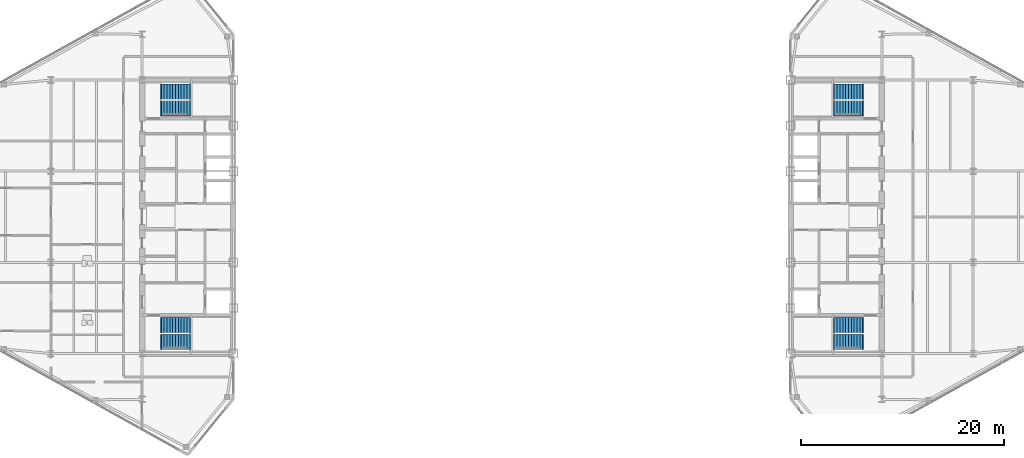
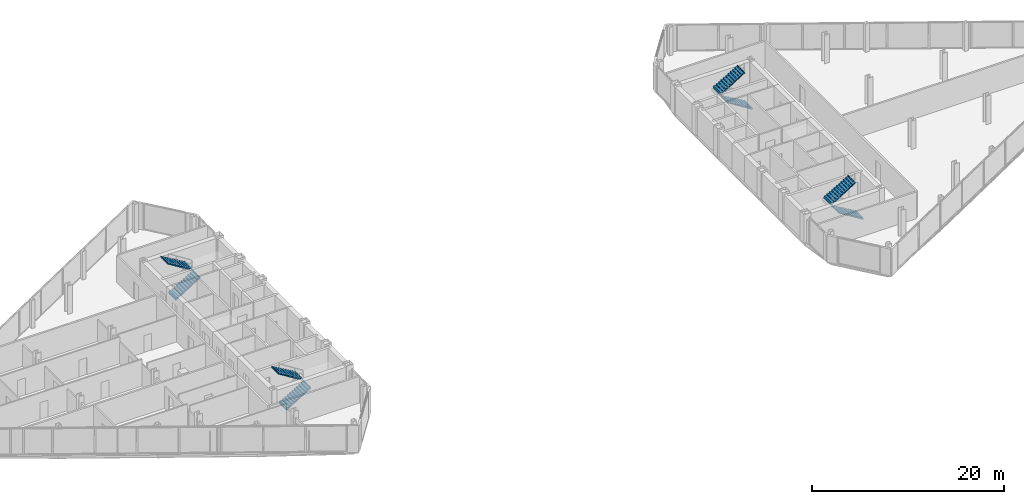
# One storey, part 24 of 26: 8 stair flights, 4 elements without a shape of their own.
"""IFC4 building model written with IfcOpenShell, lengths in metres."""

from ifc_helpers import new_model, si_unit, direction, frame, origin, place, context, subcontext, project, spatial, polyline, outline, extrude, material, type_object, element, aggregate, save


model = new_model("IFC4")

# Units and contexts
model_context = context("Model", 3, precision=1e-05, world=origin(), true_north=direction((0.0, 1.0)))
body_context = subcontext(model_context, "Body", "Model", "MODEL_VIEW")
ifc_project = project(units=[si_unit("LENGTHUNIT", "METRE"), si_unit("AREAUNIT", "SQUARE_METRE"), si_unit("VOLUMEUNIT", "CUBIC_METRE"), si_unit("PLANEANGLEUNIT", "RADIAN"), si_unit("MASSUNIT", "GRAM", prefix="KILO")], contexts=[model_context])

# Site, building, storey
site_placement = place(None, origin())
site = spatial("IfcSite", under=ifc_project, at=site_placement, CompositionType="ELEMENT")
building_placement = place(site_placement, origin())
building = spatial("IfcBuilding", under=site, at=building_placement, Name="Seokmaru Belvedere", CompositionType="ELEMENT")
storey_placement = place(building_placement, frame((0.0, 0.0, 177.89990234375)))
storey = spatial("IfcBuildingStorey", under=building, at=storey_placement, Name="L47", CompositionType="ELEMENT", Elevation=177.89990234375)

# Stair, stair flights
ifc_material = material(Name="Concrete C40 (40 MPa)", Category="concrete")
stair_type = type_object("IfcStairType", Name="Typical Tower Core Dog-Leg Stair 3600", PredefinedType="TWO_STRAIGHT_RUN_STAIR", material=ifc_material)
stair_1_placement = place(storey_placement, origin())
stair_1 = element("IfcStair", 1, at=stair_1_placement, inside=storey, type_object=stair_type, Name="L47 Special Escape Stair ST-W1", PredefinedType="TWO_STRAIGHT_RUN_STAIR")
stair_flight_type = type_object("IfcStairFlightType", Name="Reinforced Concrete Stair Flight 1500", PredefinedType="STRAIGHT", material=ifc_material)
stair_flight_1_placement = place(storey_placement, frame((-34.60009765625, -12.35009765625, 0.0), z_axis=(0.0, 0.0, 1.0), x_axis=(1.0, 0.0, 0.0)))
stair_flight_1 = element("IfcStairFlight", 2, at=stair_flight_1_placement, type_object=stair_flight_type, Name="ST-W1 flight 1", NumberOfRisers=11, NumberOfTreads=10, PredefinedType="STRAIGHT", RiserHeight=0.163636364, TreadLength=0.28, context=body_context, shape_type="SweptSolid", body=[
    extrude(outline(polyline([(-0.080078125, 0.0), (0.0, 0.16357421875), (0.280029296875, 0.16357421875), (0.280029296875, 0.327392578125), (0.56005859375, 0.327392578125), (0.56005859375, 0.490966796875), (0.840087890625, 0.490966796875), (0.840087890625, 0.654541015625), (1.1201171875, 0.654541015625), (1.1201171875, 0.818115234375), (1.39990234375, 0.818115234375), (1.39990234375, 0.98193359375), (1.679931640625, 0.98193359375), (1.679931640625, 1.1455078125), (1.9599609375, 1.1455078125), (1.9599609375, 1.30908203125), (2.239990234375, 1.30908203125), (2.239990234375, 1.47265625), (2.52001953125, 1.47265625), (2.52001953125, 1.636474609375), (2.800048828125, 1.636474609375), (2.800048828125, 1.800048828125), (2.8798828125, 1.800048828125), (2.8798828125, 1.610107421875), (2.800048828125, 1.610107421875), (0.0, -0.159912109375), (-0.080078125, -0.159912109375), (-0.080078125, 0.0)])), frame((0.0, 0.75, 0.0), z_axis=(0.0, -1.0, 0.0), x_axis=(1.0, 0.0, 0.0)), (0.0, 0.0, 1.0), 1.5),
])
stair_flight_2_placement = place(storey_placement, frame((-31.800048828125, -10.7099609375, 1.800048828125), z_axis=(0.0, 0.0, 1.0), x_axis=(-1.0, 0.0, 0.0)))
stair_flight_2 = element("IfcStairFlight", 3, at=stair_flight_2_placement, type_object=stair_flight_type, Name="ST-W1 flight 2", NumberOfRisers=11, NumberOfTreads=10, PredefinedType="STRAIGHT", RiserHeight=0.163636364, TreadLength=0.28, context=body_context, shape_type="SweptSolid", body=[
    extrude(outline(polyline([(-0.080078125, 0.0), (0.0, 0.16357421875), (0.280029296875, 0.16357421875), (0.280029296875, 0.327392578125), (0.56005859375, 0.327392578125), (0.56005859375, 0.490966796875), (0.840087890625, 0.490966796875), (0.840087890625, 0.654541015625), (1.1201171875, 0.654541015625), (1.1201171875, 0.818115234375), (1.39990234375, 0.818115234375), (1.39990234375, 0.98193359375), (1.679931640625, 0.98193359375), (1.679931640625, 1.1455078125), (1.9599609375, 1.1455078125), (1.9599609375, 1.30908203125), (2.239990234375, 1.30908203125), (2.239990234375, 1.47265625), (2.52001953125, 1.47265625), (2.52001953125, 1.636474609375), (2.800048828125, 1.636474609375), (2.800048828125, 1.800048828125), (2.8798828125, 1.800048828125), (2.8798828125, 1.610107421875), (2.800048828125, 1.610107421875), (0.0, -0.159912109375), (-0.080078125, -0.159912109375), (-0.080078125, 0.0)])), frame((0.0, 0.75, 0.0), z_axis=(0.0, -1.0, 0.0), x_axis=(1.0, 0.0, 0.0)), (0.0, 0.0, 1.0), 1.5),
])
aggregate(stair_1, [stair_flight_1, stair_flight_2])

stair_2_placement = place(storey_placement, origin())
stair_2 = element("IfcStair", 4, at=stair_2_placement, inside=storey, type_object=stair_type, Name="L47 Special Escape Stair ST-W2", PredefinedType="TWO_STRAIGHT_RUN_STAIR")
stair_flight_3_placement = place(storey_placement, frame((-34.60009765625, 10.7099609375, 0.0), z_axis=(0.0, 0.0, 1.0), x_axis=(1.0, 0.0, 0.0)))
stair_flight_3 = element("IfcStairFlight", 5, at=stair_flight_3_placement, type_object=stair_flight_type, Name="ST-W2 flight 1", NumberOfRisers=11, NumberOfTreads=10, PredefinedType="STRAIGHT", RiserHeight=0.163636364, TreadLength=0.28, context=body_context, shape_type="SweptSolid", body=[
    extrude(outline(polyline([(-0.080078125, 0.0), (0.0, 0.16357421875), (0.280029296875, 0.16357421875), (0.280029296875, 0.327392578125), (0.56005859375, 0.327392578125), (0.56005859375, 0.490966796875), (0.840087890625, 0.490966796875), (0.840087890625, 0.654541015625), (1.1201171875, 0.654541015625), (1.1201171875, 0.818115234375), (1.39990234375, 0.818115234375), (1.39990234375, 0.98193359375), (1.679931640625, 0.98193359375), (1.679931640625, 1.1455078125), (1.9599609375, 1.1455078125), (1.9599609375, 1.30908203125), (2.239990234375, 1.30908203125), (2.239990234375, 1.47265625), (2.52001953125, 1.47265625), (2.52001953125, 1.636474609375), (2.800048828125, 1.636474609375), (2.800048828125, 1.800048828125), (2.8798828125, 1.800048828125), (2.8798828125, 1.610107421875), (2.800048828125, 1.610107421875), (0.0, -0.159912109375), (-0.080078125, -0.159912109375), (-0.080078125, 0.0)])), frame((0.0, 0.75, 0.0), z_axis=(0.0, -1.0, 0.0), x_axis=(1.0, 0.0, 0.0)), (0.0, 0.0, 1.0), 1.5),
])
stair_flight_4_placement = place(storey_placement, frame((-31.800048828125, 12.35009765625, 1.800048828125), z_axis=(0.0, 0.0, 1.0), x_axis=(-1.0, 0.0, 0.0)))
stair_flight_4 = element("IfcStairFlight", 6, at=stair_flight_4_placement, type_object=stair_flight_type, Name="ST-W2 flight 2", NumberOfRisers=11, NumberOfTreads=10, PredefinedType="STRAIGHT", RiserHeight=0.163636364, TreadLength=0.28, context=body_context, shape_type="SweptSolid", body=[
    extrude(outline(polyline([(-0.080078125, 0.0), (0.0, 0.16357421875), (0.280029296875, 0.16357421875), (0.280029296875, 0.327392578125), (0.56005859375, 0.327392578125), (0.56005859375, 0.490966796875), (0.840087890625, 0.490966796875), (0.840087890625, 0.654541015625), (1.1201171875, 0.654541015625), (1.1201171875, 0.818115234375), (1.39990234375, 0.818115234375), (1.39990234375, 0.98193359375), (1.679931640625, 0.98193359375), (1.679931640625, 1.1455078125), (1.9599609375, 1.1455078125), (1.9599609375, 1.30908203125), (2.239990234375, 1.30908203125), (2.239990234375, 1.47265625), (2.52001953125, 1.47265625), (2.52001953125, 1.636474609375), (2.800048828125, 1.636474609375), (2.800048828125, 1.800048828125), (2.8798828125, 1.800048828125), (2.8798828125, 1.610107421875), (2.800048828125, 1.610107421875), (0.0, -0.159912109375), (-0.080078125, -0.159912109375), (-0.080078125, 0.0)])), frame((0.0, 0.75, 0.0), z_axis=(0.0, -1.0, 0.0), x_axis=(1.0, 0.0, 0.0)), (0.0, 0.0, 1.0), 1.5),
])
aggregate(stair_2, [stair_flight_3, stair_flight_4])

stair_3_placement = place(storey_placement, origin())
stair_3 = element("IfcStair", 7, at=stair_3_placement, inside=storey, type_object=stair_type, Name="L47 Special Escape Stair ST-E1", PredefinedType="TWO_STRAIGHT_RUN_STAIR")
stair_flight_5_placement = place(storey_placement, frame((34.60009765625, -12.35009765625, 0.0), z_axis=(0.0, 0.0, 1.0), x_axis=(-1.0, 0.0, 0.0)))
stair_flight_5 = element("IfcStairFlight", 8, at=stair_flight_5_placement, type_object=stair_flight_type, Name="ST-E1 flight 1", NumberOfRisers=11, NumberOfTreads=10, PredefinedType="STRAIGHT", RiserHeight=0.163636364, TreadLength=0.28, context=body_context, shape_type="SweptSolid", body=[
    extrude(outline(polyline([(-0.080078125, 0.0), (0.0, 0.16357421875), (0.280029296875, 0.16357421875), (0.280029296875, 0.327392578125), (0.56005859375, 0.327392578125), (0.56005859375, 0.490966796875), (0.840087890625, 0.490966796875), (0.840087890625, 0.654541015625), (1.1201171875, 0.654541015625), (1.1201171875, 0.818115234375), (1.39990234375, 0.818115234375), (1.39990234375, 0.98193359375), (1.679931640625, 0.98193359375), (1.679931640625, 1.1455078125), (1.9599609375, 1.1455078125), (1.9599609375, 1.30908203125), (2.239990234375, 1.30908203125), (2.239990234375, 1.47265625), (2.52001953125, 1.47265625), (2.52001953125, 1.636474609375), (2.800048828125, 1.636474609375), (2.800048828125, 1.800048828125), (2.8798828125, 1.800048828125), (2.8798828125, 1.610107421875), (2.800048828125, 1.610107421875), (0.0, -0.159912109375), (-0.080078125, -0.159912109375), (-0.080078125, 0.0)])), frame((0.0, 0.75, 0.0), z_axis=(0.0, -1.0, 0.0), x_axis=(1.0, 0.0, 0.0)), (0.0, 0.0, 1.0), 1.5),
])
stair_flight_6_placement = place(storey_placement, frame((31.800048828125, -10.7099609375, 1.800048828125), z_axis=(0.0, 0.0, 1.0), x_axis=(1.0, 0.0, 0.0)))
stair_flight_6 = element("IfcStairFlight", 9, at=stair_flight_6_placement, type_object=stair_flight_type, Name="ST-E1 flight 2", NumberOfRisers=11, NumberOfTreads=10, PredefinedType="STRAIGHT", RiserHeight=0.163636364, TreadLength=0.28, context=body_context, shape_type="SweptSolid", body=[
    extrude(outline(polyline([(-0.080078125, 0.0), (0.0, 0.16357421875), (0.280029296875, 0.16357421875), (0.280029296875, 0.327392578125), (0.56005859375, 0.327392578125), (0.56005859375, 0.490966796875), (0.840087890625, 0.490966796875), (0.840087890625, 0.654541015625), (1.1201171875, 0.654541015625), (1.1201171875, 0.818115234375), (1.39990234375, 0.818115234375), (1.39990234375, 0.98193359375), (1.679931640625, 0.98193359375), (1.679931640625, 1.1455078125), (1.9599609375, 1.1455078125), (1.9599609375, 1.30908203125), (2.239990234375, 1.30908203125), (2.239990234375, 1.47265625), (2.52001953125, 1.47265625), (2.52001953125, 1.636474609375), (2.800048828125, 1.636474609375), (2.800048828125, 1.800048828125), (2.8798828125, 1.800048828125), (2.8798828125, 1.610107421875), (2.800048828125, 1.610107421875), (0.0, -0.159912109375), (-0.080078125, -0.159912109375), (-0.080078125, 0.0)])), frame((0.0, 0.75, 0.0), z_axis=(0.0, -1.0, 0.0), x_axis=(1.0, 0.0, 0.0)), (0.0, 0.0, 1.0), 1.5),
])
aggregate(stair_3, [stair_flight_5, stair_flight_6])

stair_4_placement = place(storey_placement, origin())
stair_4 = element("IfcStair", 10, at=stair_4_placement, inside=storey, type_object=stair_type, Name="L47 Special Escape Stair ST-E2", PredefinedType="TWO_STRAIGHT_RUN_STAIR")
stair_flight_7_placement = place(storey_placement, frame((34.60009765625, 10.7099609375, 0.0), z_axis=(0.0, 0.0, 1.0), x_axis=(-1.0, 0.0, 0.0)))
stair_flight_7 = element("IfcStairFlight", 11, at=stair_flight_7_placement, type_object=stair_flight_type, Name="ST-E2 flight 1", NumberOfRisers=11, NumberOfTreads=10, PredefinedType="STRAIGHT", RiserHeight=0.163636364, TreadLength=0.28, context=body_context, shape_type="SweptSolid", body=[
    extrude(outline(polyline([(-0.080078125, 0.0), (0.0, 0.16357421875), (0.280029296875, 0.16357421875), (0.280029296875, 0.327392578125), (0.56005859375, 0.327392578125), (0.56005859375, 0.490966796875), (0.840087890625, 0.490966796875), (0.840087890625, 0.654541015625), (1.1201171875, 0.654541015625), (1.1201171875, 0.818115234375), (1.39990234375, 0.818115234375), (1.39990234375, 0.98193359375), (1.679931640625, 0.98193359375), (1.679931640625, 1.1455078125), (1.9599609375, 1.1455078125), (1.9599609375, 1.30908203125), (2.239990234375, 1.30908203125), (2.239990234375, 1.47265625), (2.52001953125, 1.47265625), (2.52001953125, 1.636474609375), (2.800048828125, 1.636474609375), (2.800048828125, 1.800048828125), (2.8798828125, 1.800048828125), (2.8798828125, 1.610107421875), (2.800048828125, 1.610107421875), (0.0, -0.159912109375), (-0.080078125, -0.159912109375), (-0.080078125, 0.0)])), frame((0.0, 0.75, 0.0), z_axis=(0.0, -1.0, 0.0), x_axis=(1.0, 0.0, 0.0)), (0.0, 0.0, 1.0), 1.5),
])
stair_flight_8_placement = place(storey_placement, frame((31.800048828125, 12.35009765625, 1.800048828125), z_axis=(0.0, 0.0, 1.0), x_axis=(1.0, 0.0, 0.0)))
stair_flight_8 = element("IfcStairFlight", 12, at=stair_flight_8_placement, type_object=stair_flight_type, Name="ST-E2 flight 2", NumberOfRisers=11, NumberOfTreads=10, PredefinedType="STRAIGHT", RiserHeight=0.163636364, TreadLength=0.28, context=body_context, shape_type="SweptSolid", body=[
    extrude(outline(polyline([(-0.080078125, 0.0), (0.0, 0.16357421875), (0.280029296875, 0.16357421875), (0.280029296875, 0.327392578125), (0.56005859375, 0.327392578125), (0.56005859375, 0.490966796875), (0.840087890625, 0.490966796875), (0.840087890625, 0.654541015625), (1.1201171875, 0.654541015625), (1.1201171875, 0.818115234375), (1.39990234375, 0.818115234375), (1.39990234375, 0.98193359375), (1.679931640625, 0.98193359375), (1.679931640625, 1.1455078125), (1.9599609375, 1.1455078125), (1.9599609375, 1.30908203125), (2.239990234375, 1.30908203125), (2.239990234375, 1.47265625), (2.52001953125, 1.47265625), (2.52001953125, 1.636474609375), (2.800048828125, 1.636474609375), (2.800048828125, 1.800048828125), (2.8798828125, 1.800048828125), (2.8798828125, 1.610107421875), (2.800048828125, 1.610107421875), (0.0, -0.159912109375), (-0.080078125, -0.159912109375), (-0.080078125, 0.0)])), frame((0.0, 0.75, 0.0), z_axis=(0.0, -1.0, 0.0), x_axis=(1.0, 0.0, 0.0)), (0.0, 0.0, 1.0), 1.5),
])
aggregate(stair_4, [stair_flight_7, stair_flight_8])

save(model, "model.ifc")
